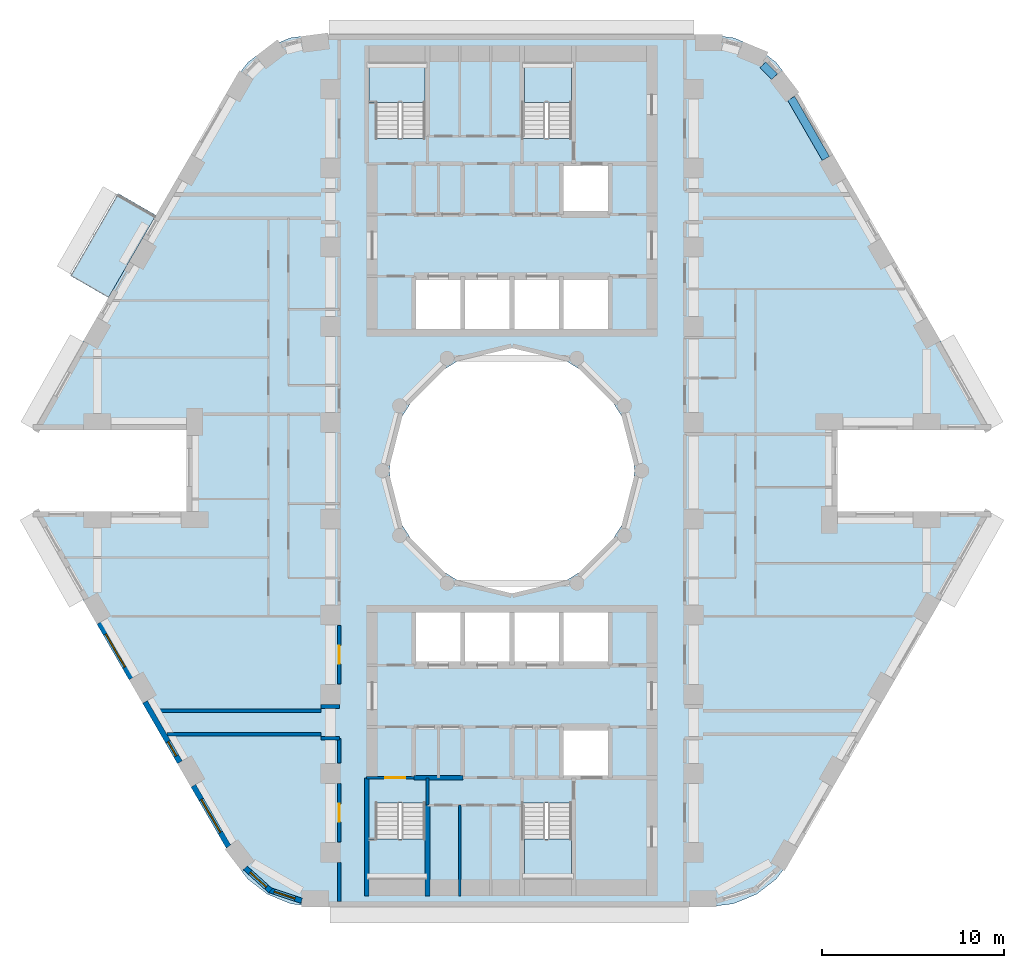
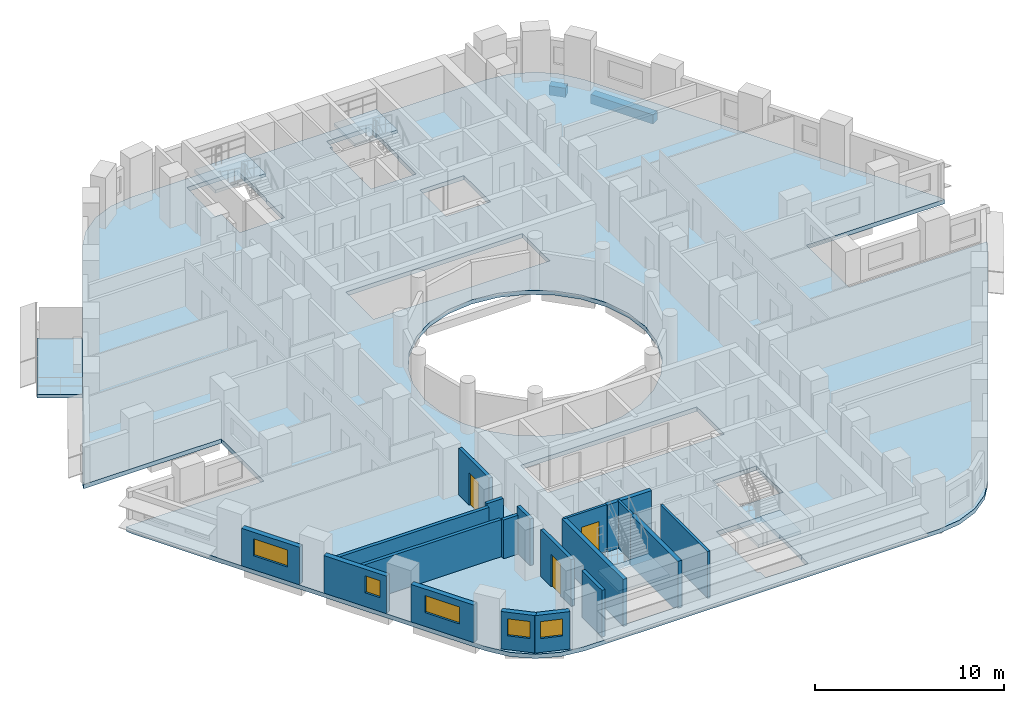
# One storey, part 2 of 13: 19 walls, 6 slabs, 5 windows, 3 doors, 2 beams, 8 openings, 4 elements without a shape of their own.
"""IFC4 building model written with IfcOpenShell, lengths in metres."""

from ifc_helpers import new_model, si_unit, direction, frame, frame_2d, origin, origin_2d, place, context, subcontext, project, spatial, polyline, rectangle, outline, extrude, material, layer, layer_set, material_profile, profile_set, type_object, element, fill, aggregate, save


model = new_model("IFC4")

# Units and contexts
model_context = context("Model", 3, precision=1e-05, world=origin(), true_north=direction((0.0, 1.0)))
body_context = subcontext(model_context, "Body", "Model", "MODEL_VIEW")
ifc_project = project(units=[si_unit("LENGTHUNIT", "METRE"), si_unit("AREAUNIT", "SQUARE_METRE"), si_unit("VOLUMEUNIT", "CUBIC_METRE"), si_unit("PLANEANGLEUNIT", "RADIAN"), si_unit("MASSUNIT", "GRAM", prefix="KILO")], contexts=[model_context])

# Site, building, storey
site_placement = place(None, origin())
site = spatial("IfcSite", under=ifc_project, at=site_placement, CompositionType="ELEMENT")
building_placement = place(site_placement, origin())
building = spatial("IfcBuilding", under=site, at=building_placement, Name="Nakaniwa Court", CompositionType="ELEMENT")
storey_placement = place(building_placement, frame((0.0, 0.0, 44.699951171875)))
storey = spatial("IfcBuildingStorey", under=building, at=storey_placement, Name="L11", CompositionType="ELEMENT", Elevation=44.699951171875)

# Beams
ifc_material_1 = material(Name="Concrete C100/115", Category="concrete")
ifc_material_profile = material_profile(ifc_material_1, rectangle(XDim=0.449951171875, YDim=0.60009765625, at=origin_2d()), Name="Concrete C100/115 RC 450x600 spandrel beam")
ifc_profile_set = profile_set([ifc_material_profile], Name="Concrete C100/115")
beam_type = type_object("IfcBeamType", Name="Concrete C100/115 RC 450x600 spandrel beam", PredefinedType="BEAM", material=ifc_profile_set)
beam_1_placement = place(storey_placement, frame((97.2705078125, 97.1865234375, -0.574951171875), z_axis=(-0.500023067617, 0.86601208528, 0.0), x_axis=(-0.86601208528, -0.500023067617, 0.0)))
element("IfcBeam", 1, at=beam_1_placement, inside=storey, type_object=beam_type, Name="SPANDREL BEAM", PredefinedType="BEAM", context=body_context, shape_type="SweptSolid", body=[
    extrude(rectangle(XDim=0.449951171875, YDim=0.60009765625, at=origin_2d()), origin(), (0.0, 0.0, 1.0), 3.819580078125),
])
beam_2_placement = place(storey_placement, frame((94.448486328125, 101.68505859375, -0.574951171875), z_axis=(-0.705908410536, 0.708303124329, 0.0), x_axis=(-0.708303124329, -0.705908410536, 0.0)))
element("IfcBeam", 2, at=beam_2_placement, inside=storey, type_object=beam_type, Name="SPANDREL BEAM", PredefinedType="BEAM", context=body_context, shape_type="SweptSolid", body=[
    extrude(rectangle(XDim=0.449951171875, YDim=0.60009765625, at=origin_2d()), origin(), (0.0, 0.0, 1.0), 0.91748046875),
])

# Slabs
ifc_material_2 = material(Name="Charcoal ceramic paver")
ifc_layer_1 = layer(ifc_material_2, 0.02, Name="Ceramic paver")
ifc_material_3 = material(Name="Cement sand screed")
ifc_layer_2 = layer(ifc_material_3, 0.03, Name="Falls screed")
ifc_material_4 = material(Name="Concrete C40/50", Category="concrete")
ifc_layer_3 = layer(ifc_material_4, 0.15, Name="Balcony slab")
ifc_layer_set_1 = layer_set([ifc_layer_1, ifc_layer_2, ifc_layer_3], Name="Concrete C40/50 balcony slab with ceramic paver finish")
slab_type_1 = type_object("IfcSlabType", Name="Balcony slab 200", PredefinedType="FLOOR", material=ifc_layer_set_1)
slab_1_placement = place(storey_placement, frame((0.0, 0.0, -0.25)))
element("IfcSlab", 3, at=slab_1_placement, inside=storey, type_object=slab_type_1, Name="L11 balcony 01", PredefinedType="FLOOR", context=body_context, shape_type="SweptSolid", body=[
    extrude(outline(polyline([(60.404541015625, 94.06005859375), (57.7900390625, 89.531005859375), (55.711669921875, 90.73095703125), (58.326171875, 95.260009765625), (60.404541015625, 94.06005859375)])), origin(), (0.0, 0.0, 1.0), 0.199951171875),
])
ifc_layer_4 = layer(ifc_material_1, 0.27490234375)
ifc_layer_set_2 = layer_set([ifc_layer_4], Name="Concrete C100/115")
slab_type_2 = type_object("IfcSlabType", Name="Concrete C100/115 post tensioned floor slab 275", PredefinedType="FLOOR", material=ifc_layer_set_2)
slab_2_placement = place(storey_placement, frame((0.0, 0.0, -0.27490234375)))
element("IfcSlab", 4, at=slab_2_placement, inside=storey, type_object=slab_type_2, Name="FLOOR SLAB", PredefinedType="FLOOR", context=body_context, shape_type="SweptSolid", body=[
    extrude(outline(polyline([(97.908447265625, 82.25), (106.356689453125, 82.25), (106.211669921875, 82.60009765625), (95.357421875, 101.39990234375), (94.531005859375, 102.47705078125), (93.4541015625, 103.30322265625), (92.199951171875, 103.82275390625), (90.854248046875, 104.0), (69.145751953125, 104.0), (67.800048828125, 103.82275390625), (66.5458984375, 103.30322265625), (65.468994140625, 102.47705078125), (64.642578125, 101.39990234375), (53.788330078125, 82.60009765625), (53.643310546875, 82.25), (62.091552734375, 82.25), (62.091552734375, 77.75), (53.643310546875, 77.75), (53.788330078125, 77.39990234375), (64.642578125, 58.60009765625), (65.468994140625, 57.52294921875), (66.5458984375, 56.69677734375), (67.800048828125, 56.17724609375), (69.145751953125, 56.0), (90.854248046875, 56.0), (92.199951171875, 56.17724609375), (93.4541015625, 56.69677734375), (94.531005859375, 57.52294921875), (95.357421875, 58.60009765625), (106.211669921875, 77.39990234375), (106.356689453125, 77.75), (97.908447265625, 77.75), (97.908447265625, 82.25)]), holes=[polyline([(81.501953125, 86.580810546875), (80.0, 86.75), (78.498046875, 86.580810546875), (77.0712890625, 86.08154296875), (75.79150390625, 85.27734375), (74.72265625, 84.20849609375), (73.91845703125, 82.9287109375), (73.419189453125, 81.501953125), (73.25, 80.0), (73.419189453125, 78.498046875), (73.91845703125, 77.0712890625), (74.72265625, 75.79150390625), (75.79150390625, 74.72265625), (77.0712890625, 73.91845703125), (78.498046875, 73.419189453125), (80.0, 73.25), (81.501953125, 73.419189453125), (82.9287109375, 73.91845703125), (84.20849609375, 74.72265625), (85.27734375, 75.79150390625), (86.08154296875, 77.0712890625), (86.580810546875, 78.498046875), (86.75, 80.0), (86.580810546875, 81.501953125), (86.08154296875, 82.9287109375), (85.27734375, 84.20849609375), (84.20849609375, 85.27734375), (82.9287109375, 86.08154296875), (81.501953125, 86.580810546875)]), polyline([(75.264892578125, 57.4599609375), (75.264892578125, 59.764892578125), (75.22509765625, 59.764892578125), (75.22509765625, 61.7099609375), (72.47509765625, 61.7099609375), (72.47509765625, 59.764892578125), (72.0849609375, 59.764892578125), (72.0849609375, 57.4599609375), (72.125, 57.4599609375), (72.125, 56.72509765625), (75.22509765625, 56.72509765625), (75.22509765625, 57.324951171875), (75.22509765625, 57.4599609375), (75.264892578125, 57.4599609375)]), polyline([(80.0, 69.300048828125), (82.699951171875, 69.300048828125), (85.39990234375, 69.300048828125), (85.39990234375, 72.199951171875), (82.699951171875, 72.199951171875), (80.0, 72.199951171875), (77.300048828125, 72.199951171875), (74.60009765625, 72.199951171875), (74.60009765625, 69.300048828125), (77.300048828125, 69.300048828125), (80.0, 69.300048828125)]), polyline([(80.0, 87.800048828125), (82.699951171875, 87.800048828125), (85.39990234375, 87.800048828125), (85.39990234375, 90.699951171875), (82.699951171875, 90.699951171875), (80.0, 90.699951171875), (77.300048828125, 90.699951171875), (74.60009765625, 90.699951171875), (74.60009765625, 87.800048828125), (77.300048828125, 87.800048828125), (80.0, 87.800048828125)]), polyline([(75.264892578125, 100.235107421875), (75.264892578125, 102.5400390625), (75.22509765625, 102.5400390625), (75.22509765625, 102.675048828125), (75.22509765625, 103.27490234375), (72.125, 103.27490234375), (72.125, 102.5400390625), (72.0849609375, 102.5400390625), (72.0849609375, 100.235107421875), (72.47509765625, 100.235107421875), (72.47509765625, 98.2900390625), (75.22509765625, 98.2900390625), (75.22509765625, 100.235107421875), (75.264892578125, 100.235107421875)]), polyline([(83.27490234375, 61.7099609375), (80.52490234375, 61.7099609375), (80.52490234375, 57.324951171875), (80.675048828125, 57.324951171875), (80.675048828125, 56.72509765625), (83.27490234375, 56.72509765625), (83.27490234375, 57.324951171875), (83.27490234375, 57.4599609375), (83.31494140625, 57.4599609375), (83.31494140625, 59.764892578125), (83.27490234375, 59.764892578125), (83.27490234375, 61.7099609375)]), polyline([(85.39990234375, 65.89990234375), (82.699951171875, 65.89990234375), (82.699951171875, 63.10009765625), (85.39990234375, 63.10009765625), (85.39990234375, 65.89990234375)]), polyline([(85.39990234375, 96.89990234375), (82.699951171875, 96.89990234375), (82.699951171875, 94.10009765625), (85.39990234375, 94.10009765625), (85.39990234375, 96.89990234375)]), polyline([(83.27490234375, 100.235107421875), (83.31494140625, 100.235107421875), (83.31494140625, 102.5400390625), (83.27490234375, 102.5400390625), (83.27490234375, 102.675048828125), (83.27490234375, 103.27490234375), (80.675048828125, 103.27490234375), (80.675048828125, 102.675048828125), (80.52490234375, 102.675048828125), (80.52490234375, 98.2900390625), (83.27490234375, 98.2900390625), (83.27490234375, 100.235107421875)])]), origin(), (0.0, 0.0, 1.0), 0.27490234375),
])

# Stair, slab
ifc_material_5 = material(Name="Concrete C80/100", Category="concrete")
stair_type = type_object("IfcStairType", Name="Dog leg stair 1300 wide 18 risers", PredefinedType="HALF_TURN_STAIR", material=ifc_material_5)
stair_1_placement = place(storey_placement, origin())
stair_1 = element("IfcStair", 5, at=stair_1_placement, inside=storey, type_object=stair_type, Name="L11 Stair ST1", PredefinedType="HALF_TURN_STAIR")
ifc_layer_5 = layer(ifc_material_5, 0.199951171875)
ifc_layer_set_3 = layer_set([ifc_layer_5], Name="Concrete C80/100")
slab_type_3 = type_object("IfcSlabType", Name="Stair landing concrete", PredefinedType="LANDING", material=ifc_layer_set_3)
slab_3_placement = place(storey_placement, frame((0.0, 0.0, 1.449951171875)))
slab_3 = element("IfcSlab", 6, at=slab_3_placement, type_object=slab_type_3, Name="ST1 landing 1", PredefinedType="LANDING", context=body_context, shape_type="SweptSolid", body=[
    extrude(outline(polyline([(75.22509765625, 100.27490234375), (75.22509765625, 102.5), (72.125, 102.5), (72.125, 100.27490234375), (75.22509765625, 100.27490234375)])), origin(), (0.0, 0.0, 1.0), 0.2001953125),
])
aggregate(stair_1, [slab_3])

stair_2_placement = place(storey_placement, origin())
stair_2 = element("IfcStair", 7, at=stair_2_placement, inside=storey, type_object=stair_type, Name="L11 Stair ST2", PredefinedType="HALF_TURN_STAIR")
slab_4_placement = place(storey_placement, frame((0.0, 0.0, 1.449951171875)))
slab_4 = element("IfcSlab", 8, at=slab_4_placement, type_object=slab_type_3, Name="ST2 landing 1", PredefinedType="LANDING", context=body_context, shape_type="SweptSolid", body=[
    extrude(outline(polyline([(83.27490234375, 100.27490234375), (83.27490234375, 102.5), (80.675048828125, 102.5), (80.675048828125, 100.27490234375), (83.27490234375, 100.27490234375)])), origin(), (0.0, 0.0, 1.0), 0.2001953125),
])
aggregate(stair_2, [slab_4])

stair_3_placement = place(storey_placement, origin())
stair_3 = element("IfcStair", 9, at=stair_3_placement, inside=storey, type_object=stair_type, Name="L11 Stair ST3", PredefinedType="HALF_TURN_STAIR")
slab_5_placement = place(storey_placement, frame((0.0, 0.0, 1.449951171875)))
slab_5 = element("IfcSlab", 10, at=slab_5_placement, type_object=slab_type_3, Name="ST3 landing 1", PredefinedType="LANDING", context=body_context, shape_type="SweptSolid", body=[
    extrude(outline(polyline([(75.22509765625, 57.5), (75.22509765625, 59.72509765625), (72.125, 59.72509765625), (72.125, 57.5), (75.22509765625, 57.5)])), origin(), (0.0, 0.0, 1.0), 0.2001953125),
])
aggregate(stair_3, [slab_5])

stair_4_placement = place(storey_placement, origin())
stair_4 = element("IfcStair", 11, at=stair_4_placement, inside=storey, type_object=stair_type, Name="L11 Stair ST4", PredefinedType="HALF_TURN_STAIR")
slab_6_placement = place(storey_placement, frame((0.0, 0.0, 1.449951171875)))
slab_6 = element("IfcSlab", 12, at=slab_6_placement, type_object=slab_type_3, Name="ST4 landing 1", PredefinedType="LANDING", context=body_context, shape_type="SweptSolid", body=[
    extrude(outline(polyline([(83.27490234375, 57.5), (83.27490234375, 59.72509765625), (80.675048828125, 59.72509765625), (80.675048828125, 57.5), (83.27490234375, 57.5)])), origin(), (0.0, 0.0, 1.0), 0.2001953125),
])
aggregate(stair_4, [slab_6])

# Walls
ifc_material_6 = material(Name="Acoustic double stud partition")
ifc_layer_6 = layer(ifc_material_6, 0.199951171875)
ifc_layer_set_4 = layer_set([ifc_layer_6], Name="Acoustic double stud partition")
wall_type_1 = type_object("IfcWallType", Name="Acoustic double stud partition 200", PredefinedType="PARTITIONING", material=ifc_layer_set_4)
wall_1_placement = place(storey_placement, frame((61.005126953125, 65.5, 0.0), z_axis=(0.0, 0.0, 1.0), x_axis=(1.0, 0.0, 0.0)))
element("IfcWall", 13, at=wall_1_placement, inside=storey, type_object=wall_type_1, Name="Partition PW-093", PredefinedType="PARTITIONING", context=body_context, shape_type="SweptSolid", body=[
    extrude(rectangle(XDim=8.494873046875, YDim=0.199951171875, at=frame_2d((4.24755859375, 0.0))), origin(), (0.0, 0.0, 1.0), 2.405029296875),
])
for number, where, z_axis, x_axis, name in (
    (14, (69.5, 65.27490234375, 0.0), (0.0, 0.0, 1.0), (1.0, 0.0, 0.0), "Partition PW-095"),
    (15, (69.5, 67.02490234375, 0.0), (0.0, 0.0, 1.0), (1.0, 0.0, 0.0), "Partition PW-097"),
):
    element("IfcWall", number, at=place(storey_placement, frame(where, z_axis=z_axis, x_axis=x_axis)), inside=storey, type_object=wall_type_1, Name=name, PredefinedType="PARTITIONING", context=body_context, shape_type="SweptSolid", body=[
        extrude(rectangle(XDim=1.0, YDim=0.199951171875, at=frame_2d((0.5, 0.0))), origin(), (0.0, 0.0, 1.0), 2.505126953125),
    ])
wall_2_placement = place(storey_placement, frame((60.254638671875, 66.800048828125, 0.0), z_axis=(0.0, 0.0, 1.0), x_axis=(1.0, 0.0, 0.0)))
element("IfcWall", 16, at=wall_2_placement, inside=storey, type_object=wall_type_1, Name="Partition PW-099", PredefinedType="PARTITIONING", context=body_context, shape_type="SweptSolid", body=[
    extrude(rectangle(XDim=9.245361328125, YDim=0.199951171875, at=frame_2d((4.62255859375, 0.0))), origin(), (0.0, 0.0, 1.0), 2.405029296875),
])
wall_3_placement = place(storey_placement, frame((70.5, 56.300048828125, 0.0), z_axis=(0.0, 0.0, 1.0), x_axis=(0.0, 1.0, 0.0)))
element("IfcWall", 17, at=wall_3_placement, inside=storey, type_object=wall_type_1, Name="Partition PW-101", PredefinedType="PARTITIONING", context=body_context, shape_type="SweptSolid", body=[
    extrude(rectangle(XDim=2.133056640625, YDim=0.199951171875, at=frame_2d((1.06640625, 0.0))), origin(), (0.0, 0.0, 1.0), 3.025146484375),
])

# Wall, opening, door
wall_4_placement = place(storey_placement, frame((70.5, 59.56689453125, 0.0), z_axis=(0.0, 0.0, 1.0), x_axis=(0.0, 1.0, 0.0)))
wall_4 = element("IfcWall", 18, at=wall_4_placement, inside=storey, type_object=wall_type_1, Name="Partition PW-102", PredefinedType="PARTITIONING", context=body_context, shape_type="SweptSolid", body=[
    extrude(rectangle(XDim=3.216064453125, YDim=0.199951171875, at=frame_2d((1.60791015625, 0.0))), origin(), (0.0, 0.0, 1.0), 3.025146484375),
])
opening_1_placement = place(wall_4_placement, frame((1.10791015625, 0.0, 0.0)))
opening_1 = element("IfcOpeningElement", 19, at=opening_1_placement, cuts=wall_4, Name="Opening D-02-03", PredefinedType="OPENING", context=body_context, shape_type="SweptSolid", body=[
    extrude(rectangle(XDim=1.0, YDim=2.10009765625, at=frame_2d((0.5, 1.050048828125))), frame((0.0, 0.10986328125, 0.0), z_axis=(0.0, -1.0, 0.0), x_axis=(1.0, 0.0, 0.0)), (0.0, 0.0, 1.0), 0.219970703125),
])
ifc_material_7 = material(Name="Solid core timber door set, black veneer", Category="wood")
door_type_1 = type_object("IfcDoorType", Name="Internal door 1000", OperationType="NOTDEFINED", PredefinedType="DOOR", material=ifc_material_7)
door_1_placement = place(opening_1_placement, origin())
door_1 = element("IfcDoor", 20, at=door_1_placement, inside=storey, type_object=door_type_1, Name="Door D-02-03 L11-043", OperationType="SINGLE_SWING_RIGHT", OverallHeight=2.10009765625, OverallWidth=1.0, PredefinedType="DOOR", context=body_context, shape_type="SweptSolid", body=[
    extrude(rectangle(XDim=1.0, YDim=2.10009765625, at=frame_2d((0.5, 1.050048828125))), frame((0.0, 0.02490234375, 0.0), z_axis=(0.0, -1.0, 0.0), x_axis=(1.0, 0.0, 0.0)), (0.0, 0.0, 1.0), 0.050048828125),
])
fill(opening_1, door_1)

# Wall
wall_5_placement = place(storey_placement, frame((70.5, 63.9169921875, 0.0), z_axis=(0.0, 0.0, 1.0), x_axis=(0.0, 1.0, 0.0)))
element("IfcWall", 21, at=wall_5_placement, inside=storey, type_object=wall_type_1, Name="Partition PW-103", PredefinedType="PARTITIONING", context=body_context, shape_type="SweptSolid", body=[
    extrude(rectangle(XDim=1.361083984375, YDim=0.199951171875, at=frame_2d((0.6806640625, 0.0))), origin(), (0.0, 0.0, 1.0), 3.025146484375),
])

# Wall, opening, door
wall_6_placement = place(storey_placement, frame((70.5, 68.26708984375, 0.0), z_axis=(0.0, 0.0, 1.0), x_axis=(0.0, 1.0, 0.0)))
wall_6 = element("IfcWall", 22, at=wall_6_placement, inside=storey, type_object=wall_type_1, Name="Partition PW-104", PredefinedType="PARTITIONING", context=body_context, shape_type="SweptSolid", body=[
    extrude(rectangle(XDim=3.2158203125, YDim=0.199951171875, at=frame_2d((1.60791015625, 0.0))), origin(), (0.0, 0.0, 1.0), 3.025146484375),
])
opening_2_placement = place(wall_6_placement, frame((1.10791015625, 0.0, 0.0)))
opening_2 = element("IfcOpeningElement", 23, at=opening_2_placement, cuts=wall_6, Name="Opening D-02-07", PredefinedType="OPENING", context=body_context, shape_type="SweptSolid", body=[
    extrude(rectangle(XDim=1.0, YDim=2.10009765625, at=frame_2d((0.5, 1.050048828125))), frame((0.0, 0.10986328125, 0.0), z_axis=(0.0, -1.0, 0.0), x_axis=(1.0, 0.0, 0.0)), (0.0, 0.0, 1.0), 0.219970703125),
])
door_2_placement = place(opening_2_placement, origin())
door_2 = element("IfcDoor", 24, at=door_2_placement, inside=storey, type_object=door_type_1, Name="Door D-02-07 L11-059", OperationType="SINGLE_SWING_RIGHT", OverallHeight=2.10009765625, OverallWidth=1.0, PredefinedType="DOOR", context=body_context, shape_type="SweptSolid", body=[
    extrude(rectangle(XDim=1.0, YDim=2.10009765625, at=frame_2d((0.5, 1.050048828125))), frame((0.0, 0.02490234375, 0.0), z_axis=(0.0, -1.0, 0.0), x_axis=(1.0, 0.0, 0.0)), (0.0, 0.0, 1.0), 0.050048828125),
])
fill(opening_2, door_2)

# Wall, opening, window
ifc_material_8 = material(Name="Charcoal ceramic cladding")
ifc_layer_7 = layer(ifc_material_8, 0.02, Name="Ceramic cladding")
ifc_material_9 = material(Name="Ventilated air cavity")
ifc_layer_8 = layer(ifc_material_9, 0.04, ventilated=True, Name="Ventilated cavity")
ifc_material_10 = material(Name="Mineral wool insulation")
ifc_layer_9 = layer(ifc_material_10, 0.1, Name="Insulation")
ifc_material_11 = material(Name="Cement bonded sheathing board")
ifc_layer_10 = layer(ifc_material_11, 0.012, Name="Sheathing")
ifc_material_12 = material(Name="Cold-formed galvanised stud frame with mineral wool infill")
ifc_layer_11 = layer(ifc_material_12, 0.1, Name="Stud frame")
ifc_material_13 = material(Name="Fire-rated gypsum plasterboard lining")
ifc_layer_12 = layer(ifc_material_13, 0.028, Name="Lining")
ifc_layer_set_5 = layer_set([ifc_layer_7, ifc_layer_8, ifc_layer_9, ifc_layer_10, ifc_layer_11, ifc_layer_12], Name="Charcoal ceramic faced external wall system")
wall_type_2 = type_object("IfcWallType", Name="Black ceramic faced external wall 300", PredefinedType="SOLIDWALL", material=ifc_layer_set_5)
wall_7_placement = place(storey_placement, frame((57.290283203125, 71.63427734375, 0.0), z_axis=(0.0, 0.0, 1.0), x_axis=(0.499977402622, -0.866038449993, 0.0)))
wall_7 = element("IfcWall", 25, at=wall_7_placement, inside=storey, type_object=wall_type_2, Name="L11 external wall 21", PredefinedType="SOLIDWALL", context=body_context, shape_type="SweptSolid", body=[
    extrude(rectangle(XDim=3.536865234375, YDim=0.300048828125, at=frame_2d((1.7685546875, 0.0))), origin(), (0.0, 0.0, 1.0), 2.425048828125),
])
opening_3_placement = place(wall_7_placement, frame((0.718505859375, 0.0, 0.89990234375)))
opening_3 = element("IfcOpeningElement", 26, at=opening_3_placement, cuts=wall_7, Name="Opening W7.21", PredefinedType="OPENING", context=body_context, shape_type="SweptSolid", body=[
    extrude(rectangle(XDim=2.10009765625, YDim=1.10009765625, at=frame_2d((1.050048828125, 0.550048828125))), frame((0.0, 0.159912109375, 0.0), z_axis=(0.0, -1.0, 0.0), x_axis=(1.0, 0.0, 0.0)), (0.0, 0.0, 1.0), 0.320068359375),
])
ifc_material_14 = material(Name="Black anodised aluminium frame with dark low-E laminated double glazing", Category="aluminium")
window_type_1 = type_object("IfcWindowType", Name="Dark glass window 2100x1100 sill 900", PartitioningType="SINGLE_PANEL", PredefinedType="WINDOW", material=ifc_material_14)
window_1_placement = place(opening_3_placement, origin())
window_1 = element("IfcWindow", 27, at=window_1_placement, inside=storey, type_object=window_type_1, Name="L11 habitable room window 21-0", OverallHeight=1.10009765625, OverallWidth=2.10009765625, PartitioningType="SINGLE_PANEL", PredefinedType="WINDOW", context=body_context, shape_type="SweptSolid", body=[
    extrude(rectangle(XDim=2.10009765625, YDim=1.10009765625, at=frame_2d((1.050048828125, 0.550048828125))), frame((0.0, 0.030029296875, 0.0), z_axis=(0.0, -1.0, 0.0), x_axis=(1.0, 0.0, 0.0)), (0.0, 0.0, 1.0), 0.06005859375),
])
fill(opening_3, window_1)

wall_8_placement = place(storey_placement, frame((59.8046875, 67.279296875, 0.0), z_axis=(0.0, 0.0, 1.0), x_axis=(0.500001735503, -0.866024401789, 0.0)))
wall_8 = element("IfcWall", 28, at=wall_8_placement, inside=storey, type_object=wall_type_2, Name="L11 external wall 22", PredefinedType="SOLIDWALL", context=body_context, shape_type="SweptSolid", body=[
    extrude(rectangle(XDim=3.833984375, YDim=0.300048828125, at=frame_2d((1.9169921875, 0.0))), origin(), (0.0, 0.0, 1.0), 2.425048828125),
])
opening_4_placement = place(wall_8_placement, frame((2.53125, 0.0, 0.89990234375)))
opening_4 = element("IfcOpeningElement", 29, at=opening_4_placement, cuts=wall_8, Name="Opening W9.22", PredefinedType="OPENING", context=body_context, shape_type="SweptSolid", body=[
    extrude(rectangle(XDim=0.89990234375, YDim=1.10009765625, at=frame_2d((0.449951171875, 0.550048828125))), frame((0.0, 0.159912109375, 0.0), z_axis=(0.0, -1.0, 0.0), x_axis=(1.0, 0.0, 0.0)), (0.0, 0.0, 1.0), 0.320068359375),
])
window_type_2 = type_object("IfcWindowType", Name="Dark glass window 900x1100 sill 900", PartitioningType="SINGLE_PANEL", PredefinedType="WINDOW", material=ifc_material_14)
window_2_placement = place(opening_4_placement, origin())
window_2 = element("IfcWindow", 30, at=window_2_placement, inside=storey, type_object=window_type_2, Name="L11 habitable room window 22-2", OverallHeight=1.10009765625, OverallWidth=0.89990234375, PartitioningType="SINGLE_PANEL", PredefinedType="WINDOW", context=body_context, shape_type="SweptSolid", body=[
    extrude(rectangle(XDim=0.89990234375, YDim=1.10009765625, at=frame_2d((0.449951171875, 0.550048828125))), frame((0.0, 0.030029296875, 0.0), z_axis=(0.0, -1.0, 0.0), x_axis=(1.0, 0.0, 0.0)), (0.0, 0.0, 1.0), 0.06005859375),
])
fill(opening_4, window_2)

wall_9_placement = place(storey_placement, frame((62.4677734375, 62.6669921875, 0.0), z_axis=(0.0, 0.0, 1.0), x_axis=(0.499948341072, -0.866055227026, 0.0)))
wall_9 = element("IfcWall", 31, at=wall_9_placement, inside=storey, type_object=wall_type_2, Name="L11 external wall 23", PredefinedType="SOLIDWALL", context=body_context, shape_type="SweptSolid", body=[
    extrude(rectangle(XDim=3.8671875, YDim=0.300048828125, at=frame_2d((1.93359375, 0.0))), origin(), (0.0, 0.0, 1.0), 2.425048828125),
])
opening_5_placement = place(wall_9_placement, frame((0.872314453125, 0.0, 0.89990234375)))
opening_5 = element("IfcOpeningElement", 32, at=opening_5_placement, cuts=wall_9, Name="Opening W7.23", PredefinedType="OPENING", context=body_context, shape_type="SweptSolid", body=[
    extrude(rectangle(XDim=2.10009765625, YDim=1.10009765625, at=frame_2d((1.050048828125, 0.550048828125))), frame((0.0, 0.159912109375, 0.0), z_axis=(0.0, -1.0, 0.0), x_axis=(1.0, 0.0, 0.0)), (0.0, 0.0, 1.0), 0.320068359375),
])
window_3_placement = place(opening_5_placement, origin())
window_3 = element("IfcWindow", 33, at=window_3_placement, inside=storey, type_object=window_type_1, Name="L11 habitable room window 23-0", OverallHeight=1.10009765625, OverallWidth=2.10009765625, PartitioningType="SINGLE_PANEL", PredefinedType="WINDOW", context=body_context, shape_type="SweptSolid", body=[
    extrude(rectangle(XDim=2.10009765625, YDim=1.10009765625, at=frame_2d((1.050048828125, 0.550048828125))), frame((0.0, 0.030029296875, 0.0), z_axis=(0.0, -1.0, 0.0), x_axis=(1.0, 0.0, 0.0)), (0.0, 0.0, 1.0), 0.06005859375),
])
fill(opening_5, window_3)

wall_10_placement = place(storey_placement, frame((65.3203125, 58.142578125, 0.0), z_axis=(0.0, 0.0, 1.0), x_axis=(0.7435526378, -0.668677407141, 0.0)))
wall_10 = element("IfcWall", 34, at=wall_10_placement, inside=storey, type_object=wall_type_2, Name="L11 external wall 24", PredefinedType="SOLIDWALL", context=body_context, shape_type="SweptSolid", body=[
    extrude(rectangle(XDim=1.878173828125, YDim=0.300048828125, at=frame_2d((0.93896484375, 0.0))), origin(), (0.0, 0.0, 1.0), 2.425048828125),
])
opening_6_placement = place(wall_10_placement, frame((0.366943359375, 0.0, 0.89990234375)))
opening_6 = element("IfcOpeningElement", 35, at=opening_6_placement, cuts=wall_10, Name="Opening W6.24", PredefinedType="OPENING", context=body_context, shape_type="SweptSolid", body=[
    extrude(rectangle(XDim=1.199951171875, YDim=1.10009765625, at=frame_2d((0.60009765625, 0.550048828125))), frame((0.0, 0.159912109375, 0.0), z_axis=(0.0, -1.0, 0.0), x_axis=(1.0, 0.0, 0.0)), (0.0, 0.0, 1.0), 0.320068359375),
])
window_type_3 = type_object("IfcWindowType", Name="Dark glass window 1200x1100 sill 900", PartitioningType="SINGLE_PANEL", PredefinedType="WINDOW", material=ifc_material_14)
window_4_placement = place(opening_6_placement, origin())
window_4 = element("IfcWindow", 36, at=window_4_placement, inside=storey, type_object=window_type_3, Name="L11 habitable room window 24-0", OverallHeight=1.10009765625, OverallWidth=1.199951171875, PartitioningType="SINGLE_PANEL", PredefinedType="WINDOW", context=body_context, shape_type="SweptSolid", body=[
    extrude(rectangle(XDim=1.199951171875, YDim=1.10009765625, at=frame_2d((0.60009765625, 0.550048828125))), frame((0.0, 0.030029296875, 0.0), z_axis=(0.0, -1.0, 0.0), x_axis=(1.0, 0.0, 0.0)), (0.0, 0.0, 1.0), 0.06005859375),
])
fill(opening_6, window_4)

wall_11_placement = place(storey_placement, frame((66.6240234375, 56.932861328125, 0.0), z_axis=(0.0, 0.0, 1.0), x_axis=(0.949246659442, -0.314532636683, 0.0)))
wall_11 = element("IfcWall", 37, at=wall_11_placement, inside=storey, type_object=wall_type_2, Name="L11 external wall 25", PredefinedType="SOLIDWALL", context=body_context, shape_type="SweptSolid", body=[
    extrude(rectangle(XDim=1.901611328125, YDim=0.300048828125, at=frame_2d((0.95068359375, 0.0))), origin(), (0.0, 0.0, 1.0), 2.425048828125),
])
opening_7_placement = place(wall_11_placement, frame((0.31005859375, 0.0, 0.89990234375)))
opening_7 = element("IfcOpeningElement", 38, at=opening_7_placement, cuts=wall_11, Name="Opening W6.25", PredefinedType="OPENING", context=body_context, shape_type="SweptSolid", body=[
    extrude(rectangle(XDim=1.199951171875, YDim=1.10009765625, at=frame_2d((0.60009765625, 0.550048828125))), frame((0.0, 0.159912109375, 0.0), z_axis=(0.0, -1.0, 0.0), x_axis=(1.0, 0.0, 0.0)), (0.0, 0.0, 1.0), 0.320068359375),
])
window_5_placement = place(opening_7_placement, origin())
window_5 = element("IfcWindow", 39, at=window_5_placement, inside=storey, type_object=window_type_3, Name="L11 habitable room window 25-0", OverallHeight=1.10009765625, OverallWidth=1.199951171875, PartitioningType="SINGLE_PANEL", PredefinedType="WINDOW", context=body_context, shape_type="SweptSolid", body=[
    extrude(rectangle(XDim=1.199951171875, YDim=1.10009765625, at=frame_2d((0.60009765625, 0.550048828125))), frame((0.0, 0.030029296875, 0.0), z_axis=(0.0, -1.0, 0.0), x_axis=(1.0, 0.0, 0.0)), (0.0, 0.0, 1.0), 0.06005859375),
])
fill(opening_7, window_5)

# Wall
ifc_material_15 = material(Name="Blockwork partition", Category="masonry")
ifc_layer_13 = layer(ifc_material_15, 0.14990234375)
ifc_layer_set_6 = layer_set([ifc_layer_13], Name="Blockwork partition")
wall_type_3 = type_object("IfcWallType", Name="Blockwork partition 150", PredefinedType="PARTITIONING", material=ifc_layer_set_6)
wall_12_placement = place(storey_placement, frame((77.117919921875, 56.60009765625, 0.0), z_axis=(0.0, 0.0, 1.0), x_axis=(0.0, 1.0, 0.0)))
element("IfcWall", 40, at=wall_12_placement, inside=storey, type_object=wall_type_3, Name="Partition PW-071", PredefinedType="PARTITIONING", context=body_context, shape_type="SweptSolid", body=[
    extrude(rectangle(XDim=5.0, YDim=0.14990234375, at=frame_2d((2.5, 0.0))), origin(), (0.0, 0.0, 1.0), 3.025146484375),
])

# Wall, opening, door
ifc_layer_14 = layer(ifc_material_1, 0.14990234375)
ifc_layer_set_7 = layer_set([ifc_layer_14], Name="Concrete C100/115")
wall_type_4 = type_object("IfcWallType", Name="Concrete core wall 150 C100", PredefinedType="SHEAR", material=ifc_layer_set_7)
wall_13_placement = place(storey_placement, frame((72.0, 63.10009765625, -0.27490234375), z_axis=(0.0, 0.0, 1.0), x_axis=(1.0, 0.0, 0.0)))
wall_13 = element("IfcWall", 41, at=wall_13_placement, inside=storey, type_object=wall_type_4, Name="Core wall SW-58", PredefinedType="SHEAR", context=body_context, shape_type="SweptSolid", body=[
    extrude(rectangle(XDim=2.60009765625, YDim=0.14990234375, at=frame_2d((1.300048828125, 0.0))), origin(), (0.0, 0.0, 1.0), 3.300048828125),
])
opening_8_placement = place(wall_13_placement, frame((1.02001953125, 0.0, 0.27490234375)))
opening_8 = element("IfcOpeningElement", 42, at=opening_8_placement, cuts=wall_13, Name="Opening D-09-02", PredefinedType="OPENING", context=body_context, shape_type="SweptSolid", body=[
    extrude(rectangle(XDim=1.10009765625, YDim=2.10009765625, at=frame_2d((0.550048828125, 1.050048828125))), frame((0.0, 0.0849609375, 0.0), z_axis=(0.0, -1.0, 0.0), x_axis=(1.0, 0.0, 0.0)), (0.0, 0.0, 1.0), 0.169921875),
])
ifc_material_16 = material(Name="Fire rated steel door set", Category="steel")
door_type_2 = type_object("IfcDoorType", Name="Stair door 1100", OperationType="NOTDEFINED", PredefinedType="DOOR", material=ifc_material_16)
door_3_placement = place(opening_8_placement, origin())
door_3 = element("IfcDoor", 43, at=door_3_placement, inside=storey, type_object=door_type_2, Name="Door D-09-02 L11-029", OperationType="SINGLE_SWING_LEFT", OverallHeight=2.10009765625, OverallWidth=1.10009765625, PredefinedType="DOOR", context=body_context, shape_type="SweptSolid", body=[
    extrude(rectangle(XDim=1.10009765625, YDim=2.10009765625, at=frame_2d((0.550048828125, 1.050048828125))), frame((0.0, 0.02490234375, 0.0), z_axis=(0.0, -1.0, 0.0), x_axis=(1.0, 0.0, 0.0)), (0.0, 0.0, 1.0), 0.050048828125),
])
fill(opening_8, door_3)

# Walls
wall_14_placement = place(storey_placement, frame((75.35009765625, 61.596923828125, -0.27490234375), z_axis=(0.0, 0.0, 1.0), x_axis=(0.0, 1.0, 0.0)))
element("IfcWall", 44, at=wall_14_placement, inside=storey, type_object=wall_type_4, Name="Core wall SW-64", PredefinedType="SHEAR", context=body_context, shape_type="SweptSolid", body=[
    extrude(rectangle(XDim=1.503173828125, YDim=0.14990234375, at=frame_2d((0.75146484375, 0.0))), origin(), (0.0, 0.0, 1.0), 3.300048828125),
])
ifc_layer_15 = layer(ifc_material_1, 0.25)
ifc_layer_set_8 = layer_set([ifc_layer_15], Name="Concrete C100/115")
wall_type_5 = type_object("IfcWallType", Name="Concrete core wall 250 C100", PredefinedType="SHEAR", material=ifc_layer_set_8)
wall_15_placement = place(storey_placement, frame((72.0, 56.60009765625, -0.27490234375), z_axis=(0.0, 0.0, 1.0), x_axis=(0.0, 1.0, 0.0)))
element("IfcWall", 45, at=wall_15_placement, inside=storey, type_object=wall_type_5, Name="Core wall SW-66", PredefinedType="SHEAR", context=body_context, shape_type="SweptSolid", body=[
    extrude(rectangle(XDim=6.5, YDim=0.25, at=frame_2d((3.25, 0.0))), origin(), (0.0, 0.0, 1.0), 3.300048828125),
])
ifc_layer_16 = layer(ifc_material_1, 0.25)
ifc_layer_set_9 = layer_set([ifc_layer_16], Name="Concrete C100/115")
wall_type_6 = type_object("IfcWallType", Name="Concrete shaft wall 250 C100", PredefinedType="SHEAR", material=ifc_layer_set_9)
wall_16_placement = place(storey_placement, frame((74.60009765625, 63.10009765625, -0.27490234375), z_axis=(0.0, 0.0, 1.0), x_axis=(1.0, 0.0, 0.0)))
element("IfcWall", 46, at=wall_16_placement, inside=storey, type_object=wall_type_6, Name="Core wall SW-60", PredefinedType="SHEAR", context=body_context, shape_type="SweptSolid", body=[
    extrude(rectangle(XDim=2.699951171875, YDim=0.25, at=frame_2d((1.35009765625, 0.0))), origin(), (0.0, 0.0, 1.0), 3.300048828125),
])
wall_17_placement = place(storey_placement, frame((75.35009765625, 56.60009765625, -0.27490234375), z_axis=(0.0, 0.0, 1.0), x_axis=(0.0, 1.0, 0.0)))
element("IfcWall", 47, at=wall_17_placement, inside=storey, type_object=wall_type_6, Name="Core wall SW-65", PredefinedType="SHEAR", context=body_context, shape_type="SweptSolid", body=[
    extrude(rectangle(XDim=5.0029296875, YDim=0.25, at=frame_2d((2.50146484375, 0.0))), origin(), (0.0, 0.0, 1.0), 3.300048828125),
])

save(model, "model.ifc")
